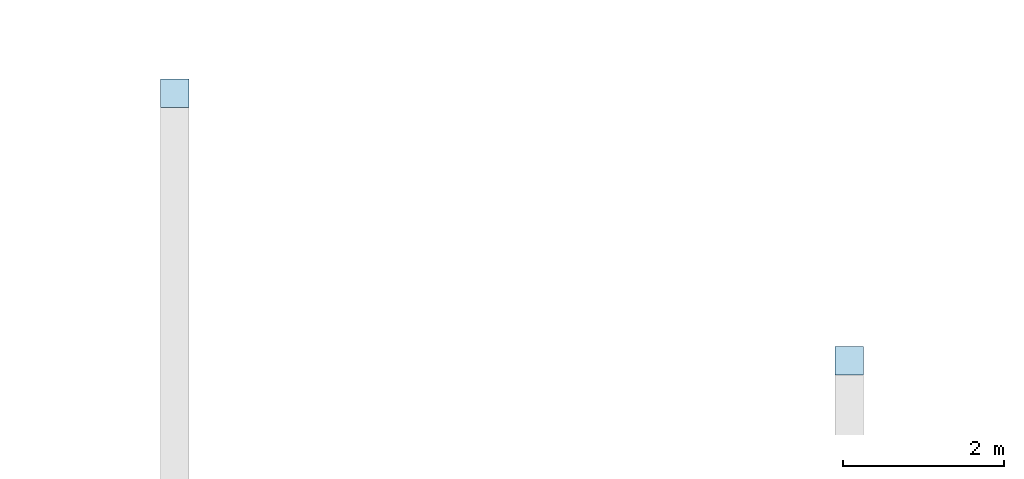
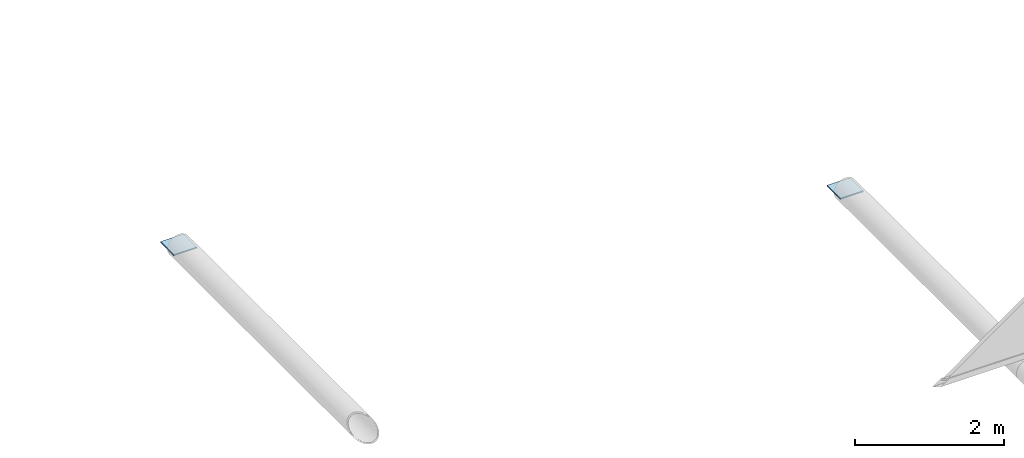
# One storey, part 72 of 77: 2 plates.
"""IFC4 building model written with IfcOpenShell, lengths in metres."""

from ifc_helpers import new_model, si_unit, derived_unit, direction, frame, origin, origin_2d, place, context, subcontext, project, spatial, rectangle, extrude, material, layer, layer_set, type_object, element, save


model = new_model("IFC4")

# Units and contexts
model_context = context("Model", 3, precision=1e-05, world=origin(), true_north=direction((0.0, 1.0)))
body_context = subcontext(model_context, "Body", "Model", "MODEL_VIEW")
ifc_project = project(units=[si_unit("LENGTHUNIT", "METRE"), si_unit("AREAUNIT", "SQUARE_METRE"), si_unit("VOLUMEUNIT", "CUBIC_METRE"), si_unit("PLANEANGLEUNIT", "RADIAN"), si_unit("MASSUNIT", "GRAM", prefix="KILO"), derived_unit("THERMALTRANSMITTANCEUNIT", [(si_unit("MASSUNIT", "GRAM", prefix="KILO"), 1), (si_unit("TIMEUNIT", "SECOND"), -3), (si_unit("THERMODYNAMICTEMPERATUREUNIT", "KELVIN"), -1)])], contexts=[model_context])

# Site, building, storey
site_placement = place(None, origin())
site = spatial("IfcSite", under=ifc_project, at=site_placement, CompositionType="ELEMENT")
building_placement = place(site_placement, origin())
building = spatial("IfcBuilding", under=site, at=building_placement, Name="Kharveza Railside Sports Centre", CompositionType="ELEMENT")
storey_placement = place(building_placement, frame((0.0, 0.0, 17.10009765625)))
storey = spatial("IfcBuildingStorey", under=building, at=storey_placement, Name="L04", CompositionType="ELEMENT", Elevation=17.10009765625)

# Plates
ifc_material = material(Name="Steel S355J2", Category="steel")
ifc_layer = layer(ifc_material, 0.02001953125, Name="Steel S355J2")
ifc_layer_set = layer_set([ifc_layer], Name="Steel S355J2")
plate_type = type_object("IfcPlateType", Name="PL-EC02", PredefinedType="USERDEFINED", material=ifc_layer_set)
for number, where, z_axis, x_axis, name in (
    (1, (67.199951171875, 73.3154296875, -1.06005859375), (0.0, 0.0, 1.0), (1.0, 0.0, 0.0), "PLT-EC-095"),
    (2, (75.60009765625, 69.986572265625, -1.06005859375), (0.0, 0.0, 1.0), (1.0, 0.0, 0.0), "PLT-EC-097"),
):
    element("IfcPlate", number, at=place(storey_placement, frame(where, z_axis=z_axis, x_axis=x_axis)), inside=storey, type_object=plate_type, Name=name, ObjectType="END_CAP_PLATE", PredefinedType="USERDEFINED", context=body_context, shape_type="SweptSolid", body=[
        extrude(rectangle(XDim=0.35595703125, YDim=0.35595703125, at=origin_2d()), origin(), (0.0, 0.0, 1.0), 0.02001953125),
    ])

save(model, "model.ifc")
